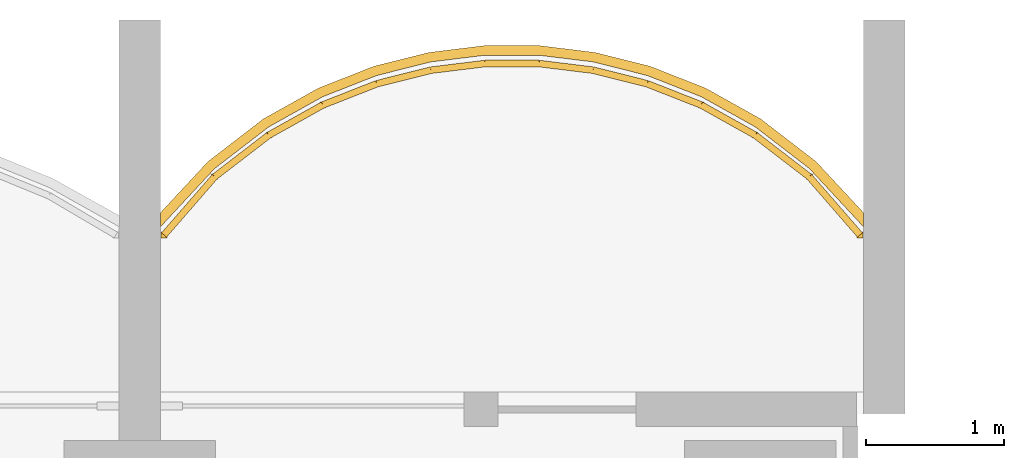
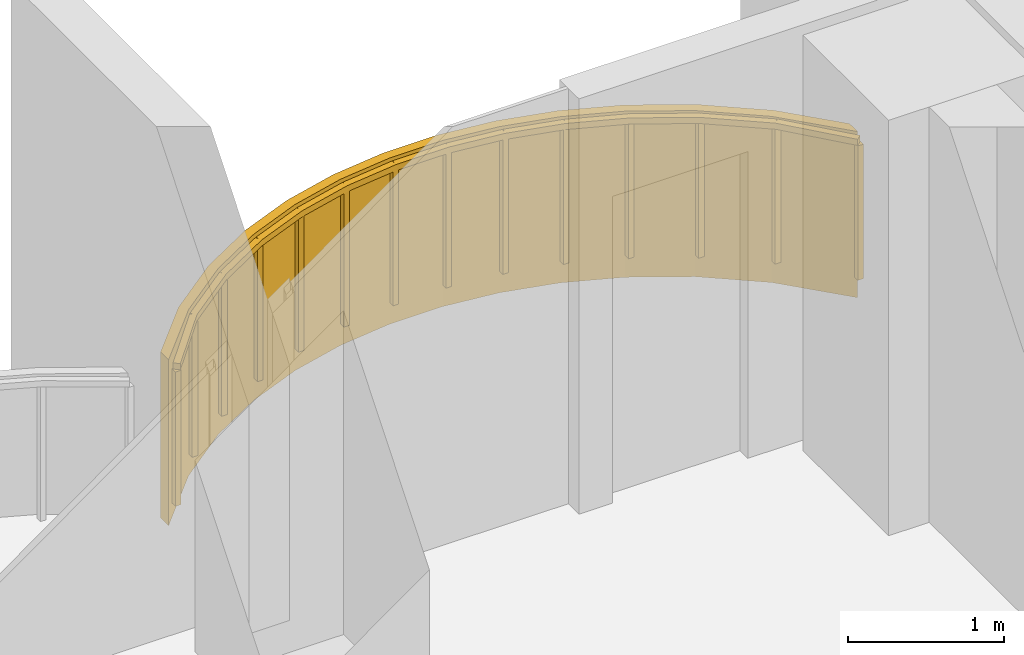
# One storey, part 19 of 19: 1 covering, 1 railing.
"""IFC4 building model written with IfcOpenShell, lengths in metres."""

from ifc_helpers import new_model, si_unit, direction, frame, origin, origin_2d, place, context, subcontext, project, spatial, polyline, rectangle, outline, extrude, material, layer, layer_set, type_object, element, save


model = new_model("IFC4")

# Units and contexts
model_context = context("Model", 3, precision=1e-05, world=origin(), true_north=direction((0.0, 1.0)))
body_context = subcontext(model_context, "Body", "Model", "MODEL_VIEW")
ifc_project = project(units=[si_unit("LENGTHUNIT", "METRE"), si_unit("AREAUNIT", "SQUARE_METRE"), si_unit("VOLUMEUNIT", "CUBIC_METRE"), si_unit("PLANEANGLEUNIT", "RADIAN"), si_unit("MASSUNIT", "GRAM", prefix="KILO")], contexts=[model_context])

# Site, building, storey
site_placement = place(None, origin())
site = spatial("IfcSite", under=ifc_project, at=site_placement, CompositionType="ELEMENT")
building_placement = place(site_placement, origin())
building = spatial("IfcBuilding", under=site, at=building_placement, Name="Perihelion Cross Residences", CompositionType="ELEMENT")
storey_placement = place(building_placement, frame((0.0, 0.0, 144.39990234375)))
storey = spatial("IfcBuildingStorey", under=building, at=storey_placement, Name="L35", CompositionType="ELEMENT", Elevation=144.39990234375)

# Covering
ifc_material_1 = material(Name="Bronze anodised aluminium", Category="aluminium")
ifc_layer = layer(ifc_material_1, 0.070068359375)
ifc_layer_set = layer_set([ifc_layer], Name="Balcony fascia 1300")
covering_type = type_object("IfcCoveringType", Name="Balcony fascia 1300", PredefinedType="CLADDING", material=ifc_layer_set)
covering_placement = place(storey_placement, frame((0.0, 0.0, -0.199951171875)))
element("IfcCovering", 1, at=covering_placement, inside=storey, type_object=covering_type, Name="Fascia BF1 L35 north tip north bay 1", PredefinedType="CLADDING", context=body_context, shape_type="SweptSolid", body=[
    extrude(outline(polyline([(4.90478515625, 28.674072265625), (4.50390625, 28.982666015625), (4.10302734375, 29.20654296875), (3.7021484375, 29.364013671875), (3.30126953125, 29.464599609375), (2.900390625, 29.513916015625), (2.49951171875, 29.513916015625), (2.0986328125, 29.464599609375), (1.69775390625, 29.364013671875), (1.296875, 29.20654296875), (0.89599609375, 28.982666015625), (0.4951171875, 28.674072265625), (0.14990234375, 28.302734375), (0.14990234375, 28.199951171875), (0.542236328125, 28.622314453125), (0.9345703125, 28.924072265625), (1.326904296875, 29.143310546875), (1.71923828125, 29.29736328125), (2.111572265625, 29.39599609375), (2.50390625, 29.444091796875), (2.896240234375, 29.444091796875), (3.28857421875, 29.39599609375), (3.6806640625, 29.29736328125), (4.072998046875, 29.143310546875), (4.46533203125, 28.924072265625), (4.857666015625, 28.622314453125), (5.25, 28.199951171875), (5.25, 28.302734375), (4.90478515625, 28.674072265625)])), origin(), (0.0, 0.0, 1.0), 1.300048828125),
])

# Railing
ifc_material_2 = material(Name="Bronze anodised aluminium", Category="aluminium")
railing_type = type_object("IfcRailingType", Name="Balcony guard 1100", PredefinedType="GUARDRAIL", material=ifc_material_2)
railing_placement = place(storey_placement, frame((5.22509765625, 28.139892578125, 0.0)))
element("IfcRailing", 2, at=railing_placement, inside=storey, type_object=railing_type, Name="Guard GU1 L35 north tip north bay 1 balcony", PredefinedType="GUARDRAIL", context=body_context, shape_type="SweptSolid", body=[
    extrude(rectangle(XDim=0.048095703125, YDim=0.048095703125, at=origin_2d()), frame((0.0, 0.0, 1.076171875), z_axis=(-0.656340655493, 0.754464673757, 0.0), x_axis=(-0.754464673757, -0.656340655493, 0.0)), (0.0, 0.0, 1.0), 0.559814453125),
    extrude(rectangle(XDim=0.048095703125, YDim=0.048095703125, at=origin_2d()), frame((-0.367431640625, 0.42236328125, 1.076171875), z_axis=(-0.792660660899, 0.60966308455, 0.0), x_axis=(-0.60966308455, -0.792660660899, 0.0)), (0.0, 0.0, 1.0), 0.494873046875),
    extrude(rectangle(XDim=0.048095703125, YDim=0.048095703125, at=origin_2d()), frame((-0.759765625, 0.72412109375, 1.076171875), z_axis=(-0.872950285698, 0.487809182674, 0.0), x_axis=(-0.487809182674, -0.872950285698, 0.0)), (0.0, 0.0, 1.0), 0.449462890625),
    extrude(rectangle(XDim=0.048095703125, YDim=0.048095703125, at=origin_2d()), frame((-1.152099609375, 0.943359375, 1.076171875), z_axis=(-0.930814842219, 0.365491079925, 0.0), x_axis=(-0.365491079925, -0.930814842219, 0.0)), (0.0, 0.0, 1.0), 0.42138671875),
    extrude(rectangle(XDim=0.048095703125, YDim=0.048095703125, at=origin_2d()), frame((-1.54443359375, 1.097412109375, 1.076171875), z_axis=(-0.969786252666, 0.243956193074, 0.0), x_axis=(-0.243956193074, -0.969786252666, 0.0)), (0.0, 0.0, 1.0), 0.404296875),
    extrude(rectangle(XDim=0.048095703125, YDim=0.048095703125, at=origin_2d()), frame((-1.9365234375, 1.196044921875, 1.076171875), z_axis=(-0.992569651699, 0.121677797999, 0.0), x_axis=(-0.121677797999, -0.992569651699, 0.0)), (0.0, 0.0, 1.0), 0.395263671875),
    extrude(rectangle(XDim=0.048095703125, YDim=0.048095703125, at=origin_2d()), frame((-2.328857421875, 1.244140625, 1.076171875), z_axis=(-1.0, 0.0, 0.0), x_axis=(0.0, -1.0, 0.0)), (0.0, 0.0, 1.0), 0.392333984375),
    extrude(rectangle(XDim=0.048095703125, YDim=0.048095703125, at=origin_2d()), frame((-2.72119140625, 1.244140625, 1.076171875), z_axis=(-0.992569651699, -0.121677797999, 0.0), x_axis=(0.121677797999, -0.992569651699, 0.0)), (0.0, 0.0, 1.0), 0.395263671875),
    extrude(rectangle(XDim=0.048095703125, YDim=0.048095703125, at=origin_2d()), frame((-3.113525390625, 1.196044921875, 1.076171875), z_axis=(-0.969822159145, -0.243813411509, 0.0), x_axis=(0.243813411509, -0.969822159145, 0.0)), (0.0, 0.0, 1.0), 0.404541015625),
    extrude(rectangle(XDim=0.048095703125, YDim=0.048095703125, at=origin_2d()), frame((-3.505859375, 1.097412109375, 1.076171875), z_axis=(-0.930814842219, -0.365491079925, 0.0), x_axis=(0.365491079925, -0.930814842219, 0.0)), (0.0, 0.0, 1.0), 0.42138671875),
    extrude(rectangle(XDim=0.048095703125, YDim=0.048095703125, at=origin_2d()), frame((-3.898193359375, 0.943359375, 1.076171875), z_axis=(-0.872950285698, -0.487809182674, 0.0), x_axis=(0.487809182674, -0.872950285698, 0.0)), (0.0, 0.0, 1.0), 0.449462890625),
    extrude(rectangle(XDim=0.048095703125, YDim=0.048095703125, at=origin_2d()), frame((-4.29052734375, 0.72412109375, 1.076171875), z_axis=(-0.792660660899, -0.60966308455, 0.0), x_axis=(0.60966308455, -0.792660660899, 0.0)), (0.0, 0.0, 1.0), 0.494873046875),
    extrude(rectangle(XDim=0.048095703125, YDim=0.048095703125, at=origin_2d()), frame((-4.682861328125, 0.42236328125, 1.076171875), z_axis=(-0.656092309534, -0.754680648599, 0.0), x_axis=(0.754680648599, -0.656092309534, 0.0)), (0.0, 0.0, 1.0), 0.5595703125),
    extrude(rectangle(XDim=0.0419921875, YDim=0.0419921875, at=origin_2d()), origin(), (0.0, 0.0, 1.0), 1.052001953125),
    extrude(rectangle(XDim=0.0419921875, YDim=0.0419921875, at=origin_2d()), frame((-0.367431640625, 0.42236328125, 0.0)), (0.0, 0.0, 1.0), 1.052001953125),
    extrude(rectangle(XDim=0.0419921875, YDim=0.0419921875, at=origin_2d()), frame((-0.759765625, 0.72412109375, 0.0)), (0.0, 0.0, 1.0), 1.052001953125),
    extrude(rectangle(XDim=0.0419921875, YDim=0.0419921875, at=origin_2d()), frame((-1.152099609375, 0.943359375, 0.0)), (0.0, 0.0, 1.0), 1.052001953125),
    extrude(rectangle(XDim=0.0419921875, YDim=0.0419921875, at=origin_2d()), frame((-1.54443359375, 1.097412109375, 0.0)), (0.0, 0.0, 1.0), 1.052001953125),
    extrude(rectangle(XDim=0.0419921875, YDim=0.0419921875, at=origin_2d()), frame((-1.9365234375, 1.196044921875, 0.0)), (0.0, 0.0, 1.0), 1.052001953125),
    extrude(rectangle(XDim=0.0419921875, YDim=0.0419921875, at=origin_2d()), frame((-2.328857421875, 1.244140625, 0.0)), (0.0, 0.0, 1.0), 1.052001953125),
    extrude(rectangle(XDim=0.0419921875, YDim=0.0419921875, at=origin_2d()), frame((-2.72119140625, 1.244140625, 0.0)), (0.0, 0.0, 1.0), 1.052001953125),
    extrude(rectangle(XDim=0.0419921875, YDim=0.0419921875, at=origin_2d()), frame((-3.113525390625, 1.196044921875, 0.0)), (0.0, 0.0, 1.0), 1.052001953125),
    extrude(rectangle(XDim=0.0419921875, YDim=0.0419921875, at=origin_2d()), frame((-3.505859375, 1.097412109375, 0.0)), (0.0, 0.0, 1.0), 1.052001953125),
    extrude(rectangle(XDim=0.0419921875, YDim=0.0419921875, at=origin_2d()), frame((-3.898193359375, 0.943359375, 0.0)), (0.0, 0.0, 1.0), 1.052001953125),
    extrude(rectangle(XDim=0.0419921875, YDim=0.0419921875, at=origin_2d()), frame((-4.29052734375, 0.72412109375, 0.0)), (0.0, 0.0, 1.0), 1.052001953125),
    extrude(rectangle(XDim=0.0419921875, YDim=0.0419921875, at=origin_2d()), frame((-4.682861328125, 0.42236328125, 0.0)), (0.0, 0.0, 1.0), 1.052001953125),
    extrude(rectangle(XDim=0.0419921875, YDim=0.0419921875, at=origin_2d()), frame((-5.050048828125, 0.0, 0.0)), (0.0, 0.0, 1.0), 1.052001953125),
])

save(model, "model.ifc")
